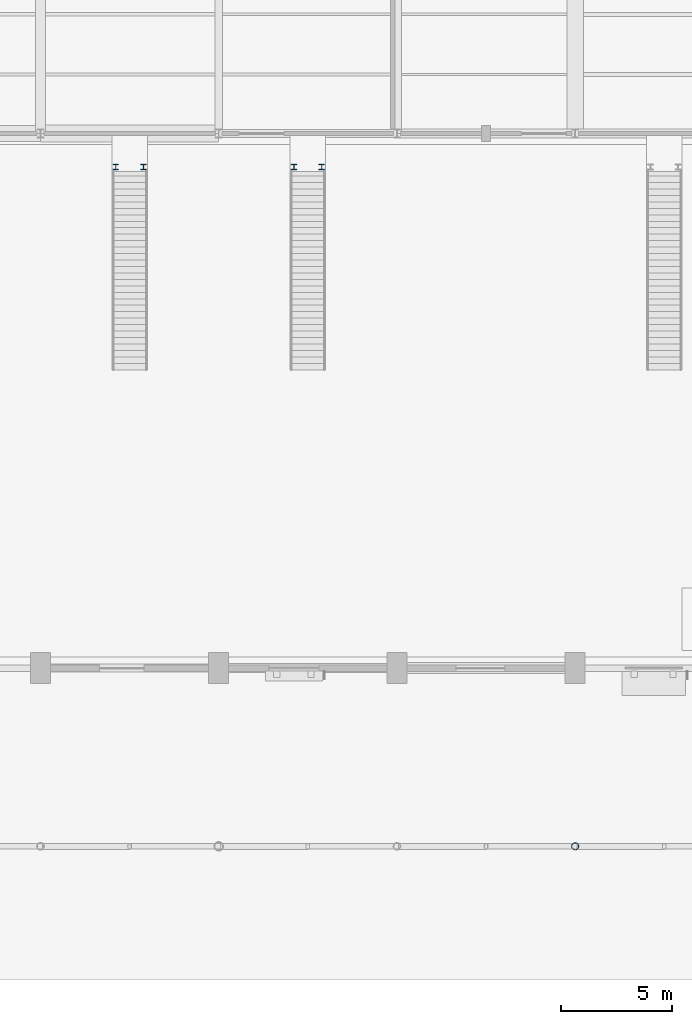
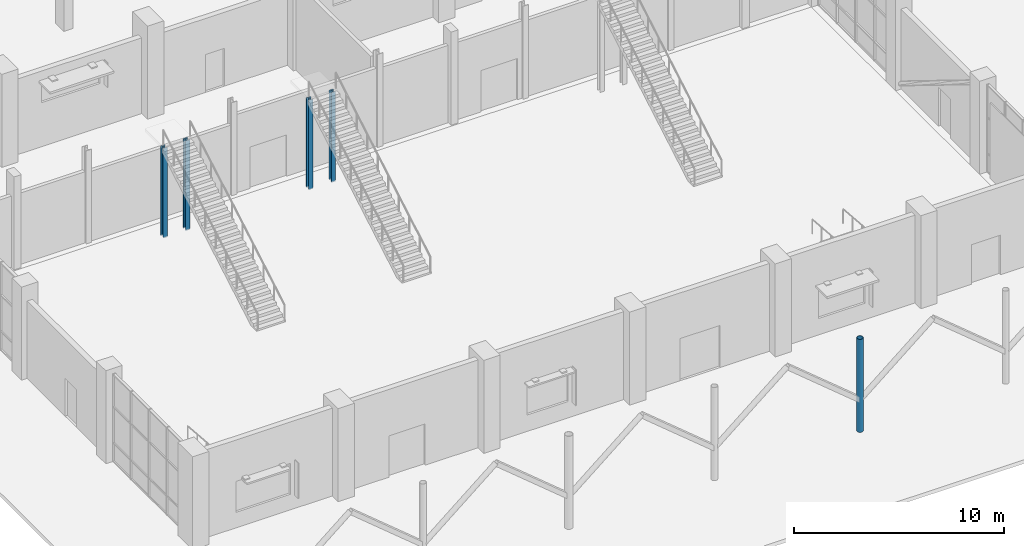
# One storey, part 2 of 123: 5 columns.
"""IFC4 building model written with IfcOpenShell, lengths in metres."""

from ifc_helpers import new_model, si_unit, direction, frame, origin, origin_2d, place, context, subcontext, project, spatial, hollow_circle, i_section, extrude, material, material_profile, profile_set, type_object, element, save


model = new_model("IFC4")

# Units and contexts
model_context = context("Model", 3, precision=1e-05, world=origin(), true_north=direction((0.0, 1.0)))
body_context = subcontext(model_context, "Body", "Model", "MODEL_VIEW")
ifc_project = project(units=[si_unit("LENGTHUNIT", "METRE"), si_unit("AREAUNIT", "SQUARE_METRE"), si_unit("VOLUMEUNIT", "CUBIC_METRE"), si_unit("PLANEANGLEUNIT", "RADIAN"), si_unit("MASSUNIT", "GRAM", prefix="KILO")], contexts=[model_context])

# Site, building, storey
site_placement = place(None, origin())
site = spatial("IfcSite", under=ifc_project, at=site_placement, CompositionType="ELEMENT")
building_placement = place(site_placement, origin())
building = spatial("IfcBuilding", under=site, at=building_placement, Name="Tenunan Teduh Sports Hall", CompositionType="ELEMENT")
storey_placement = place(building_placement, origin())
storey = spatial("IfcBuildingStorey", under=building, at=storey_placement, Name="L00", CompositionType="ELEMENT", Elevation=0.0)

# Columns
ifc_material_1 = material(Name="Steel S355", Category="steel")
ifc_material_profile_1 = material_profile(ifc_material_1, hollow_circle(Radius=0.161865234375, WallThickness=0.012451171875, at=origin_2d()), Name="CHS 323.9x12.5")
ifc_profile_set_1 = profile_set([ifc_material_profile_1], Name="Steel S355")
column_type_1 = type_object("IfcColumnType", Name="COL-ST-CHS324", PredefinedType="COLUMN", material=ifc_profile_set_1)
column_placement = place(storey_placement, frame((38.0, 6.0, 0.0), z_axis=(0.0, 0.0, 1.0), x_axis=(1.0, 0.0, 0.0)))
element("IfcColumn", 1, at=column_placement, inside=storey, type_object=column_type_1, Name="COL-SC-06-L00-051", PredefinedType="COLUMN", context=body_context, shape_type="SweptSolid", body=[
    extrude(hollow_circle(Radius=0.161865234375, WallThickness=0.012451171875, at=origin_2d()), origin(), (0.0, 0.0, 1.0), 5.39990234375),
])
ifc_material_2 = material(Name="Steel S355", Category="steel")
ifc_material_profile_2 = material_profile(ifc_material_2, i_section(OverallWidth=0.239990234375, OverallDepth=0.239990234375, WebThickness=0.010009765625, FlangeThickness=0.01708984375, FilletRadius=0.02099609375, at=origin_2d()), Name="HEB 240")
ifc_profile_set_2 = profile_set([ifc_material_profile_2], Name="Steel S355")
column_type_2 = type_object("IfcColumnType", Name="COL-ST-HEB240", PredefinedType="COLUMN", material=ifc_profile_set_2)
for number, where, z_axis, x_axis, name in (
    (2, (17.3798828125, 36.5, 0.0), (0.0, 0.0, 1.0), (1.0, 0.0, 0.0), "COL-SC-04-FST-4-1-L00"),
    (3, (18.6201171875, 36.5, 0.0), (0.0, 0.0, 1.0), (1.0, 0.0, 0.0), "COL-SC-04-FST-4-2-L00"),
    (4, (25.3798828125, 36.5, 0.0), (0.0, 0.0, 1.0), (1.0, 0.0, 0.0), "COL-SC-04-FST-5-1-L00"),
    (5, (26.6201171875, 36.5, 0.0), (0.0, 0.0, 1.0), (1.0, 0.0, 0.0), "COL-SC-04-FST-5-2-L00"),
):
    element("IfcColumn", number, at=place(storey_placement, frame(where, z_axis=z_axis, x_axis=x_axis)), inside=storey, type_object=column_type_2, Name=name, PredefinedType="COLUMN", context=body_context, shape_type="SweptSolid", body=[
        extrude(i_section(OverallWidth=0.239990234375, OverallDepth=0.239990234375, WebThickness=0.010009765625, FlangeThickness=0.01708984375, FilletRadius=0.02099609375, at=origin_2d()), origin(), (0.0, 0.0, 1.0), 5.219970703125),
    ])

save(model, "model.ifc")
